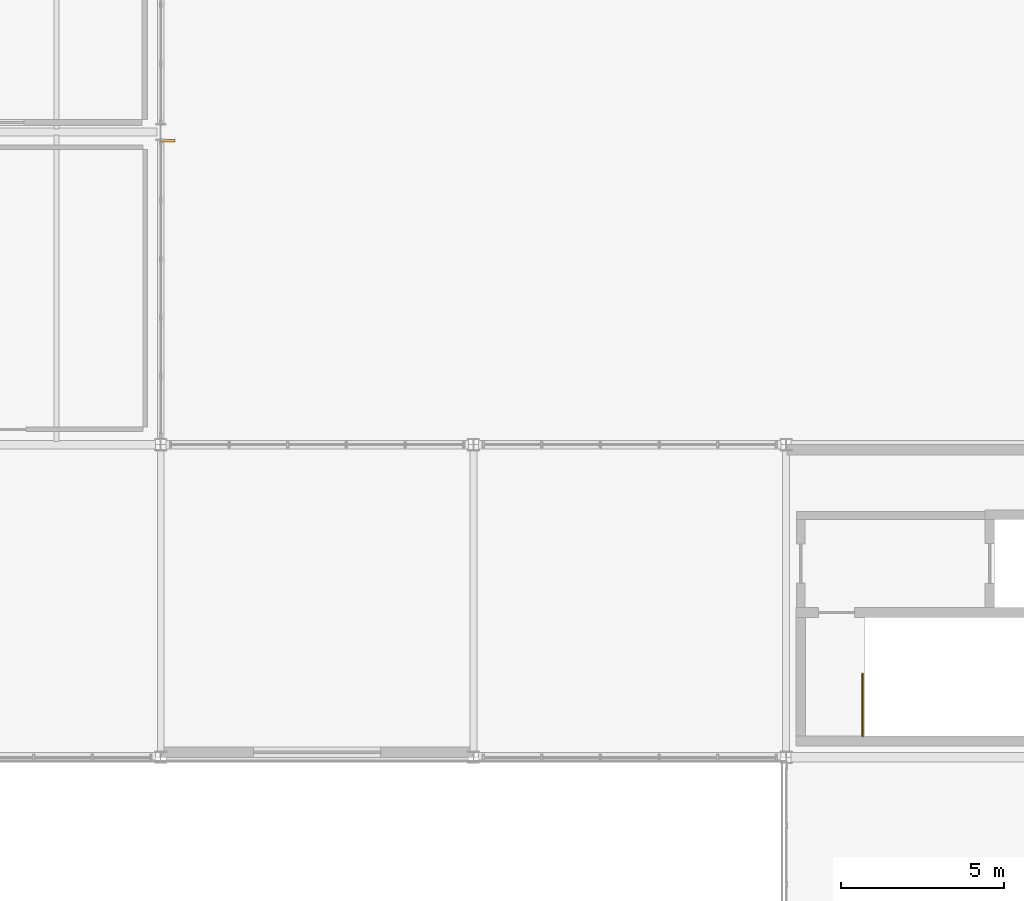
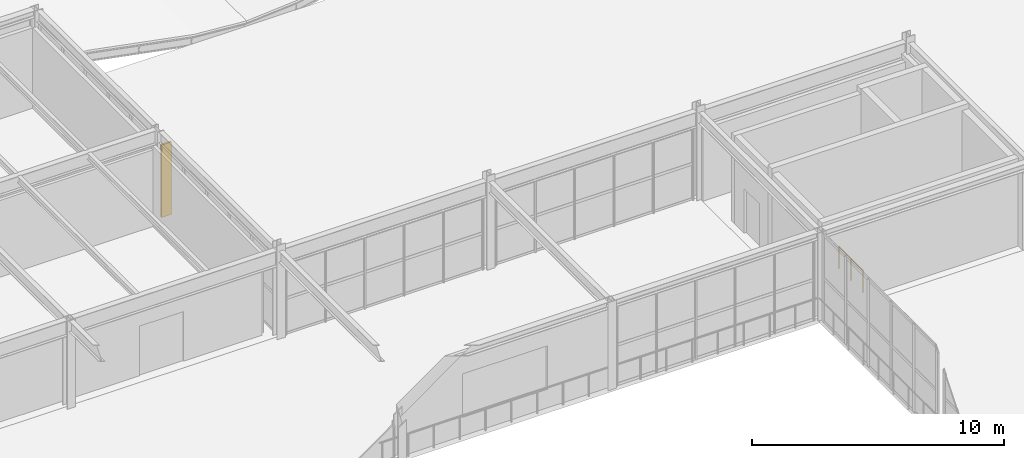
# One storey, part 168 of 170: 1 railing, 1 shading device.
"""IFC4 building model written with IfcOpenShell, lengths in metres."""

from ifc_helpers import new_model, si_unit, direction, frame, origin, origin_2d, place, context, subcontext, project, spatial, rectangle, circle, extrude, material, type_object, element, save


model = new_model("IFC4")

# Units and contexts
model_context = context("Model", 3, precision=1e-05, world=origin(), true_north=direction((0.0, 1.0)))
body_context = subcontext(model_context, "Body", "Model", "MODEL_VIEW")
ifc_project = project(units=[si_unit("LENGTHUNIT", "METRE"), si_unit("AREAUNIT", "SQUARE_METRE"), si_unit("VOLUMEUNIT", "CUBIC_METRE"), si_unit("PLANEANGLEUNIT", "RADIAN"), si_unit("MASSUNIT", "GRAM", prefix="KILO")], contexts=[model_context])

# Site, building, storey
site_placement = place(None, origin())
site = spatial("IfcSite", under=ifc_project, at=site_placement, CompositionType="ELEMENT")
building_placement = place(site_placement, origin())
building = spatial("IfcBuilding", under=site, at=building_placement, Name="Coralgate Yard Interchange", CompositionType="ELEMENT")
storey_placement = place(building_placement, frame((0.0, 0.0, 6.0)))
storey = spatial("IfcBuildingStorey", under=building, at=storey_placement, Name="L01", CompositionType="ELEMENT", Elevation=6.0)

# Railing
ifc_material_1 = material(Name="Grade 316 marine stainless steel and toughened glass balustrade", Category="steel")
railing_type = type_object("IfcRailingType", Name="RLG-GD1100", PredefinedType="BALUSTRADE", material=ifc_material_1)
railing_placement = place(storey_placement, frame((127.14990234375, 67.85009765625, 0.0)))
element("IfcRailing", 1, at=railing_placement, inside=storey, type_object=railing_type, Name="L01 ST-07 top well guard 1", PredefinedType="BALUSTRADE", context=body_context, shape_type="SweptSolid", body=[
    extrude(circle(Radius=0.02392578125, at=origin_2d()), frame((0.0, 0.0, 1.076171875), z_axis=(0.0, 1.0, 0.0), x_axis=(-1.0, 0.0, 0.0)), (0.0, 0.0, 1.0), 1.909912109375),
    extrude(circle(Radius=0.02099609375, at=origin_2d()), origin(), (0.0, 0.0, 1.0), 1.051513671875),
    extrude(circle(Radius=0.02099609375, at=origin_2d()), frame((0.0, 0.955078125, 0.0)), (0.0, 0.0, 1.0), 1.051513671875),
    extrude(circle(Radius=0.02099609375, at=origin_2d()), frame((0.0, 1.909912109375, 0.0)), (0.0, 0.0, 1.0), 1.051513671875),
])

# Shading device
ifc_material_2 = material(Name="Anodised coastal aluminium vertical brise-soleil blade", Category="aluminium")
shading_device_type = type_object("IfcShadingDeviceType", Name="SHD-BS1", PredefinedType="SHUTTER", material=ifc_material_2)
shading_device_placement = place(storey_placement, frame((105.820068359375, 86.1298828125, 0.10009765625), z_axis=(0.0, 0.0, 1.0), x_axis=(0.0, -1.0, 0.0)))
element("IfcShadingDevice", 2, at=shading_device_placement, inside=storey, type_object=shading_device_type, Name="L01 coastal aluminium brise-soleil fin E-10-8", PredefinedType="SHUTTER", context=body_context, shape_type="SweptSolid", body=[
    extrude(rectangle(XDim=0.080078125, YDim=0.449951171875, at=origin_2d()), origin(), (0.0, 0.0, 1.0), 3.516845703125),
])

save(model, "model.ifc")
